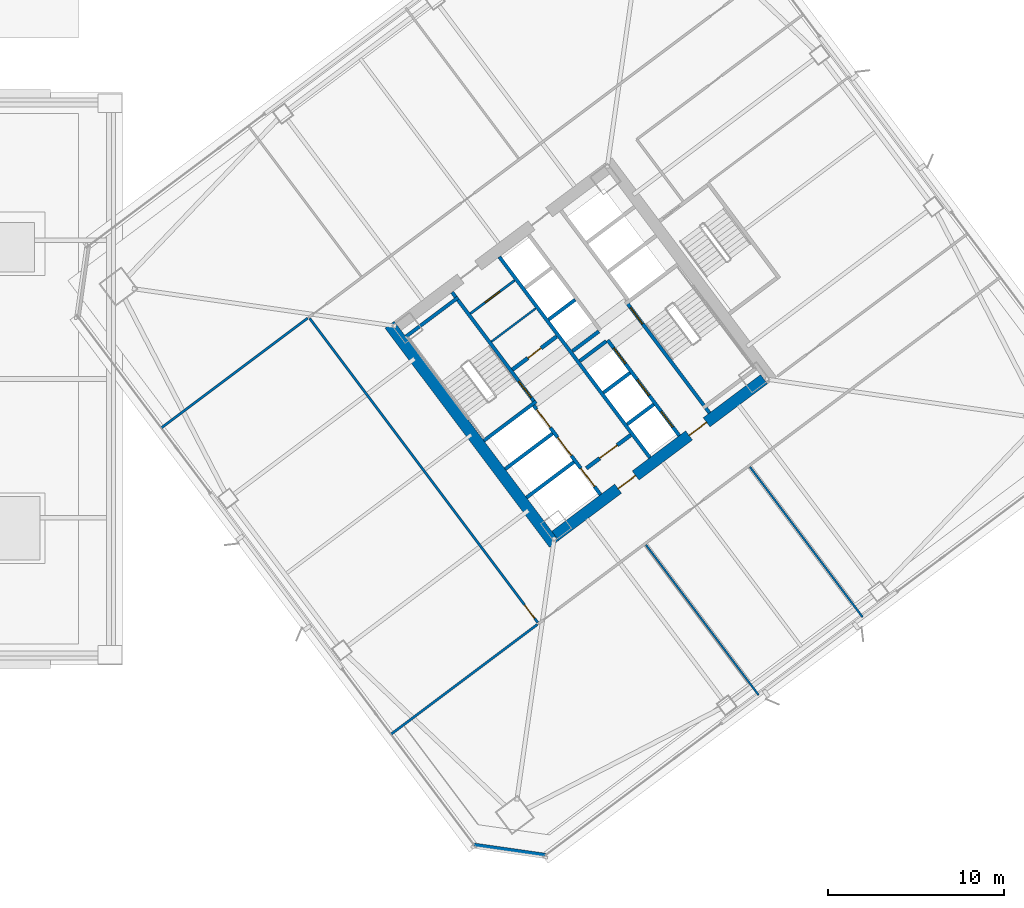
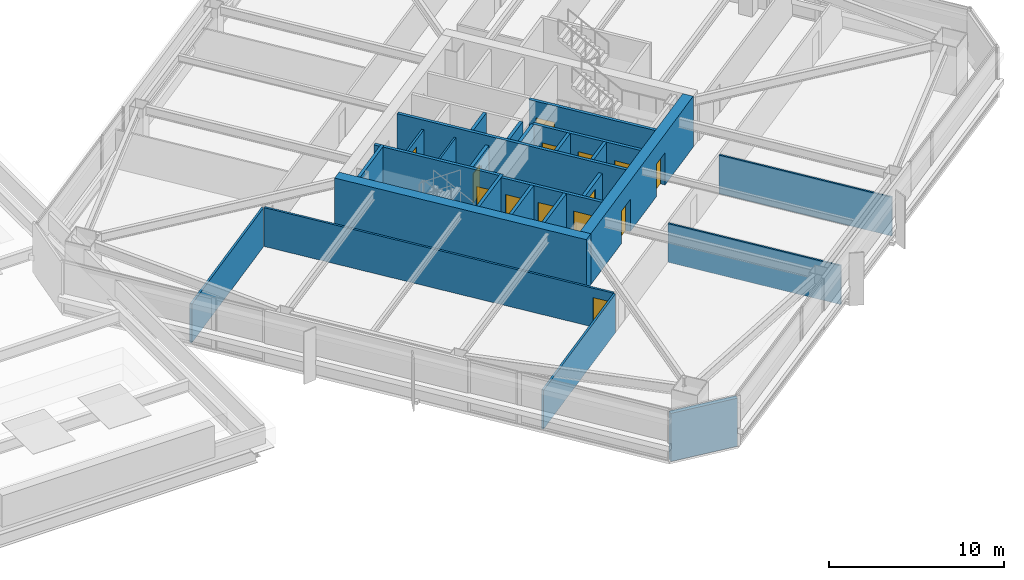
# One storey, part 45 of 62: 26 walls, 14 doors, 14 openings.
"""IFC4 building model written with IfcOpenShell, lengths in metres."""

from ifc_helpers import new_model, si_unit, direction, frame, frame_2d, origin, place, context, subcontext, project, spatial, rectangle, extrude, material, layer, layer_set, type_object, element, fill, save


model = new_model("IFC4")

# Units and contexts
model_context = context("Model", 3, precision=1e-05, world=origin(), true_north=direction((0.0, 1.0)))
body_context = subcontext(model_context, "Body", "Model", "MODEL_VIEW")
ifc_project = project(units=[si_unit("LENGTHUNIT", "METRE"), si_unit("AREAUNIT", "SQUARE_METRE"), si_unit("VOLUMEUNIT", "CUBIC_METRE"), si_unit("PLANEANGLEUNIT", "RADIAN"), si_unit("MASSUNIT", "GRAM", prefix="KILO")], contexts=[model_context])

# Site, building, storey
site_placement = place(None, origin())
site = spatial("IfcSite", under=ifc_project, at=site_placement, CompositionType="ELEMENT")
building_placement = place(site_placement, origin())
building = spatial("IfcBuilding", under=site, at=building_placement, Name="Tashvorn Skyway Center", CompositionType="ELEMENT")
storey_placement = place(building_placement, frame((0.0, 0.0, 28.14990234375)))
storey = spatial("IfcBuildingStorey", under=building, at=storey_placement, Name="L06", CompositionType="ELEMENT", Elevation=28.14990234375)

# Wall
ifc_material_1 = material(Name="Concrete C60/75", Category="concrete")
ifc_layer_1 = layer(ifc_material_1, 0.64990234375)
ifc_layer_set_1 = layer_set([ifc_layer_1], Name="Concrete C60/75")
wall_type_1 = type_object("IfcWallType", Name="WALL-CORE-650", PredefinedType="SHEAR", material=ifc_layer_set_1)
wall_1_placement = place(storey_placement, frame((112.47607421875, 21.10693359375, 0.0), z_axis=(0.0, 0.0, 1.0), x_axis=(-0.600005007985, 0.799996243986, 0.0)))
element("IfcWall", 1, at=wall_1_placement, inside=storey, type_object=wall_type_1, Name="Tower 2 L06 West Core Shear Wall", PredefinedType="SHEAR", context=body_context, shape_type="SweptSolid", body=[
    extrude(rectangle(XDim=15.60009765625, YDim=0.64990234375, at=frame_2d((7.800048828125, 0.0))), origin(), (0.0, 0.0, 1.0), 3.550048828125),
])

# Wall, openings, doors
wall_2_placement = place(storey_placement, frame((124.428955078125, 30.47802734375, 0.0), z_axis=(0.0, 0.0, 1.0), x_axis=(-0.799998028465, -0.600002628705, 0.0)))
wall_2 = element("IfcWall", 2, at=wall_2_placement, inside=storey, type_object=wall_type_1, Name="Tower 2 L06 South Core Shear Wall", PredefinedType="SHEAR", context=body_context, shape_type="SweptSolid", body=[
    extrude(rectangle(XDim=14.85986328125, YDim=0.64990234375, at=frame_2d((7.429931640625, 0.0))), origin(), (0.0, 0.0, 1.0), 3.550048828125),
])
opening_1_placement = place(wall_2_placement, frame((9.1298828125, 0.0, 0.0)))
opening_1 = element("IfcOpeningElement", 3, at=opening_1_placement, cuts=wall_2, Name="Opening D-FFL-1250", PredefinedType="OPENING", context=body_context, shape_type="SweptSolid", body=[
    extrude(rectangle(XDim=1.25, YDim=2.25, at=frame_2d((0.625, 1.125))), frame((0.0, 0.3349609375, 0.0), z_axis=(0.0, -1.0, 0.0), x_axis=(1.0, 0.0, 0.0)), (0.0, 0.0, 1.0), 0.669921875),
])
opening_2_placement = place(wall_2_placement, frame((4.080078125, 0.0, 0.0)))
opening_2 = element("IfcOpeningElement", 4, at=opening_2_placement, cuts=wall_2, Name="Opening D-FFL-1250", PredefinedType="OPENING", context=body_context, shape_type="SweptSolid", body=[
    extrude(rectangle(XDim=1.25, YDim=2.25, at=frame_2d((0.625, 1.125))), frame((0.0, 0.3349609375, 0.0), z_axis=(0.0, -1.0, 0.0), x_axis=(1.0, 0.0, 0.0)), (0.0, 0.0, 1.0), 0.669921875),
])
ifc_material_2 = material(Name="Hollow galvanized steel fire door assembly", Category="steel")
door_type_1 = type_object("IfcDoorType", Name="DOOR-FFL-1250", OperationType="NOTDEFINED", PredefinedType="DOOR", material=ifc_material_2)
door_1_placement = place(opening_1_placement, origin())
door_1 = element("IfcDoor", 5, at=door_1_placement, inside=storey, type_object=door_type_1, Name="Tower 2 L06 Core South Firefighting Exit Door", OperationType="SINGLE_SWING_LEFT", OverallHeight=2.25, OverallWidth=1.25, PredefinedType="DOOR", context=body_context, shape_type="SweptSolid", body=[
    extrude(rectangle(XDim=1.25, YDim=2.25, at=frame_2d((0.625, 1.125))), frame((0.0, 0.02490234375, 0.0), z_axis=(0.0, -1.0, 0.0), x_axis=(1.0, 0.0, 0.0)), (0.0, 0.0, 1.0), 0.050048828125),
])
fill(opening_1, door_1)
door_2_placement = place(opening_2_placement, origin())
door_2 = element("IfcDoor", 6, at=door_2_placement, inside=storey, type_object=door_type_1, Name="Tower 2 L06 Core South Lift Lobby Door", OperationType="SINGLE_SWING_RIGHT", OverallHeight=2.25, OverallWidth=1.25, PredefinedType="DOOR", context=body_context, shape_type="SweptSolid", body=[
    extrude(rectangle(XDim=1.25, YDim=2.25, at=frame_2d((0.625, 1.125))), frame((0.0, 0.02490234375, 0.0), z_axis=(0.0, -1.0, 0.0), x_axis=(1.0, 0.0, 0.0)), (0.0, 0.0, 1.0), 0.050048828125),
])
fill(opening_2, door_2)

# Wall
ifc_material_3 = material(Name="Precast concrete C40/50", Category="concrete")
ifc_layer_2 = layer(ifc_material_3, 0.280029296875)
ifc_layer_set_2 = layer_set([ifc_layer_2], Name="Precast concrete C40/50")
wall_type_2 = type_object("IfcWallType", Name="WALL-EXT-280", PredefinedType="SOLIDWALL", material=ifc_layer_set_2)
wall_3_placement = place(storey_placement, frame((111.97998046875, 3.360107421875, 0.0), z_axis=(0.0, 0.0, 1.0), x_axis=(-0.989955445613, 0.14137968631, 0.0)))
element("IfcWall", 7, at=wall_3_placement, inside=storey, type_object=wall_type_2, Name="Tower 2 L06 SW Precast Chamfer Wall", PredefinedType="SOLIDWALL", context=body_context, shape_type="SweptSolid", body=[
    extrude(rectangle(XDim=4.101318359375, YDim=0.280029296875, at=frame_2d((2.05078125, 0.0))), origin(), (0.0, 0.0, 1.0), 3.35009765625),
])

# Wall, opening, door
ifc_material_4 = material(Name="Concrete C40/50", Category="concrete")
ifc_layer_3 = layer(ifc_material_4, 0.219970703125)
ifc_layer_set_3 = layer_set([ifc_layer_3], Name="Concrete C40/50")
wall_type_3 = type_object("IfcWallType", Name="WALL-FFL-220", PredefinedType="SOLIDWALL", material=ifc_layer_set_3)
wall_4_placement = place(storey_placement, frame((110.10400390625, 31.028076171875, 0.0), z_axis=(0.0, 0.0, 1.0), x_axis=(0.800018601094, 0.59997519774, 0.0)))
wall_4 = element("IfcWall", 8, at=wall_4_placement, inside=storey, type_object=wall_type_3, Name="Tower 2 L06 Firefighting Lobby North Wall", PredefinedType="SOLIDWALL", context=body_context, shape_type="SweptSolid", body=[
    extrude(rectangle(XDim=3.14990234375, YDim=0.219970703125, at=frame_2d((1.574951171875, 0.0))), origin(), (0.0, 0.0, 1.0), 2.703125),
])
opening_3_placement = place(wall_4_placement, frame((1.10009765625, 0.0, 0.0)))
opening_3 = element("IfcOpeningElement", 9, at=opening_3_placement, cuts=wall_4, Name="Opening D-RT-950", PredefinedType="OPENING", context=body_context, shape_type="SweptSolid", body=[
    extrude(rectangle(XDim=0.949951171875, YDim=2.050048828125, at=frame_2d((0.47509765625, 1.02490234375))), frame((0.0, 0.119873046875, 0.0), z_axis=(0.0, -1.0, 0.0), x_axis=(1.0, 0.0, 0.0)), (0.0, 0.0, 1.0), 0.239990234375),
])
door_type_2 = type_object("IfcDoorType", Name="DOOR-RATED-950", OperationType="NOTDEFINED", PredefinedType="DOOR", material=ifc_material_2)
door_3_placement = place(opening_3_placement, origin())
door_3 = element("IfcDoor", 10, at=door_3_placement, inside=storey, type_object=door_type_2, Name="Tower 2 L06 Core Linen Store Door", OperationType="SINGLE_SWING_LEFT", OverallHeight=2.050048828125, OverallWidth=0.949951171875, PredefinedType="DOOR", context=body_context, shape_type="SweptSolid", body=[
    extrude(rectangle(XDim=0.949951171875, YDim=2.050048828125, at=frame_2d((0.47509765625, 1.02490234375))), frame((0.0, 0.02490234375, 0.0), z_axis=(0.0, -1.0, 0.0), x_axis=(1.0, 0.0, 0.0)), (0.0, 0.0, 1.0), 0.050048828125),
])
fill(opening_3, door_3)

wall_5_placement = place(storey_placement, frame((114.31591796875, 25.412109375, 0.0), z_axis=(0.0, 0.0, 1.0), x_axis=(0.800018601094, 0.59997519774, 0.0)))
wall_5 = element("IfcWall", 11, at=wall_5_placement, inside=storey, type_object=wall_type_3, Name="Tower 2 L06 Firefighting Lobby South Wall", PredefinedType="SOLIDWALL", context=body_context, shape_type="SweptSolid", body=[
    extrude(rectangle(XDim=3.14990234375, YDim=0.219970703125, at=frame_2d((1.574951171875, 0.0))), origin(), (0.0, 0.0, 1.0), 2.703125),
])
opening_4_placement = place(wall_5_placement, frame((0.949951171875, 0.0, 0.0)))
opening_4 = element("IfcOpeningElement", 12, at=opening_4_placement, cuts=wall_5, Name="Opening D-FFL-1250", PredefinedType="OPENING", context=body_context, shape_type="SweptSolid", body=[
    extrude(rectangle(XDim=1.25, YDim=2.25, at=frame_2d((0.625, 1.125))), frame((0.0, 0.119873046875, 0.0), z_axis=(0.0, -1.0, 0.0), x_axis=(1.0, 0.0, 0.0)), (0.0, 0.0, 1.0), 0.239990234375),
])
door_4_placement = place(opening_4_placement, origin())
door_4 = element("IfcDoor", 13, at=door_4_placement, inside=storey, type_object=door_type_1, Name="Tower 2 L06 Firefighting Lobby Egress Door", OperationType="SINGLE_SWING_LEFT", OverallHeight=2.25, OverallWidth=1.25, PredefinedType="DOOR", context=body_context, shape_type="SweptSolid", body=[
    extrude(rectangle(XDim=1.25, YDim=2.25, at=frame_2d((0.625, 1.125))), frame((0.0, 0.02490234375, 0.0), z_axis=(0.0, -1.0, 0.0), x_axis=(1.0, 0.0, 0.0)), (0.0, 0.0, 1.0), 0.050048828125),
])
fill(opening_4, door_4)

# Walls
ifc_material_5 = material(Name="Gypsum board on cold-formed steel stud framing", Category="steel")
ifc_layer_4 = layer(ifc_material_5, 0.110107421875)
ifc_layer_set_4 = layer_set([ifc_layer_4], Name="Gypsum board on cold-formed steel stud framing")
wall_type_4 = type_object("IfcWallType", Name="WALL-PART-110", PredefinedType="PARTITIONING", material=ifc_layer_set_4)
wall_6_placement = place(storey_placement, frame((124.1279296875, 12.49609375, 0.0), z_axis=(0.0, 0.0, 1.0), x_axis=(-0.600003650761, 0.799997261916, 0.0)))
element("IfcWall", 14, at=wall_6_placement, inside=storey, type_object=wall_type_4, Name="Tower 2 L06 South Suite Partition 1", PredefinedType="PARTITIONING", context=body_context, shape_type="SweptSolid", body=[
    extrude(rectangle(XDim=10.69970703125, YDim=0.110107421875, at=frame_2d((5.349853515625, 0.0))), origin(), (0.0, 0.0, 1.0), 2.703125),
])
wall_7_placement = place(storey_placement, frame((130.048095703125, 16.93603515625, 0.0), z_axis=(0.0, 0.0, 1.0), x_axis=(-0.600007301277, 0.79999452399, 0.0)))
element("IfcWall", 15, at=wall_7_placement, inside=storey, type_object=wall_type_4, Name="Tower 2 L06 South Suite Partition 2", PredefinedType="PARTITIONING", context=body_context, shape_type="SweptSolid", body=[
    extrude(rectangle(XDim=10.7001953125, YDim=0.110107421875, at=frame_2d((5.35009765625, 0.0))), origin(), (0.0, 0.0, 1.0), 2.703125),
])

# Wall, opening, door
ifc_layer_5 = layer(ifc_material_5, 0.135009765625)
ifc_layer_set_5 = layer_set([ifc_layer_5], Name="Gypsum board on cold-formed steel stud framing")
wall_type_5 = type_object("IfcWallType", Name="WALL-PART-135", PredefinedType="PARTITIONING", material=ifc_layer_set_5)
wall_8_placement = place(storey_placement, frame((111.548095703125, 16.635986328125, 0.0), z_axis=(0.0, 0.0, 1.0), x_axis=(-0.600003610192, 0.799997292343, 0.0)))
wall_8 = element("IfcWall", 16, at=wall_8_placement, inside=storey, type_object=wall_type_5, Name="Tower 2 L06 West Inner Suite Wall", PredefinedType="PARTITIONING", context=body_context, shape_type="SweptSolid", body=[
    extrude(rectangle(XDim=21.64013671875, YDim=0.135009765625, at=frame_2d((10.820068359375, 0.0))), origin(), (0.0, 0.0, 1.0), 2.703125),
])
opening_5_placement = place(wall_8_placement, frame((0.300048828125, 0.0, 0.0)))
opening_5 = element("IfcOpeningElement", 17, at=opening_5_placement, cuts=wall_8, Name="Opening D-INT-950", PredefinedType="OPENING", context=body_context, shape_type="SweptSolid", body=[
    extrude(rectangle(XDim=0.949951171875, YDim=2.050048828125, at=frame_2d((0.47509765625, 1.02490234375))), frame((0.0, 0.077392578125, 0.0), z_axis=(0.0, -1.0, 0.0), x_axis=(1.0, 0.0, 0.0)), (0.0, 0.0, 1.0), 0.155029296875),
])
ifc_material_6 = material(Name="Solid-core architectural oak veneer door")
door_type_3 = type_object("IfcDoorType", Name="DOOR-INT-950", OperationType="NOTDEFINED", PredefinedType="DOOR", material=ifc_material_6)
door_5_placement = place(opening_5_placement, origin())
door_5 = element("IfcDoor", 18, at=door_5_placement, inside=storey, type_object=door_type_3, Name="Tower 2 L06 Staff Fitness Club Door", OperationType="SINGLE_SWING_RIGHT", OverallHeight=2.050048828125, OverallWidth=0.949951171875, PredefinedType="DOOR", context=body_context, shape_type="SweptSolid", body=[
    extrude(rectangle(XDim=0.949951171875, YDim=2.050048828125, at=frame_2d((0.47509765625, 1.02490234375))), frame((0.0, 0.02490234375, 0.0), z_axis=(0.0, -1.0, 0.0), x_axis=(1.0, 0.0, 0.0)), (0.0, 0.0, 1.0), 0.050048828125),
])
fill(opening_5, door_5)

# Walls
wall_9_placement = place(storey_placement, frame((98.451904296875, 33.964111328125, 0.0), z_axis=(0.0, 0.0, 1.0), x_axis=(-0.799988753532, -0.600014994998, 0.0)))
element("IfcWall", 19, at=wall_9_placement, inside=storey, type_object=wall_type_5, Name="Tower 2 L06 West Suite North Wall", PredefinedType="PARTITIONING", context=body_context, shape_type="SweptSolid", body=[
    extrude(rectangle(XDim=10.420166015625, YDim=0.135009765625, at=frame_2d((5.2099609375, 0.0))), origin(), (0.0, 0.0, 1.0), 2.703125),
])
wall_10_placement = place(storey_placement, frame((103.196044921875, 10.27197265625, 0.0), z_axis=(0.0, 0.0, 1.0), x_axis=(0.8, 0.6, 0.0)))
element("IfcWall", 20, at=wall_10_placement, inside=storey, type_object=wall_type_5, Name="Tower 2 L06 West Suite South Wall", PredefinedType="PARTITIONING", context=body_context, shape_type="SweptSolid", body=[
    extrude(rectangle(XDim=10.419921875, YDim=0.135009765625, at=frame_2d((5.2099609375, 0.0))), origin(), (0.0, 0.0, 1.0), 2.703125),
])
ifc_layer_6 = layer(ifc_material_5, 0.110107421875)
ifc_layer_set_6 = layer_set([ifc_layer_6], Name="Gypsum board on cold-formed steel stud framing")
wall_type_6 = type_object("IfcWallType", Name="WALL-RATED-110", PredefinedType="PARTITIONING", material=ifc_layer_set_6)
wall_11_placement = place(storey_placement, frame((108.909912109375, 32.6201171875, 0.0), z_axis=(0.0, 0.0, 1.0), x_axis=(0.800018601094, 0.59997519774, 0.0)))
element("IfcWall", 21, at=wall_11_placement, inside=storey, type_object=wall_type_6, Name="Tower 2 L06 Core Transverse Wall", PredefinedType="PARTITIONING", context=body_context, shape_type="SweptSolid", body=[
    extrude(rectangle(XDim=3.14990234375, YDim=0.110107421875, at=frame_2d((1.574951171875, 0.0))), origin(), (0.0, 0.0, 1.0), 2.703125),
])

# Wall, opening, door
ifc_layer_7 = layer(ifc_material_5, 0.135009765625)
ifc_layer_set_7 = layer_set([ifc_layer_7], Name="Gypsum board on cold-formed steel stud framing")
wall_type_7 = type_object("IfcWallType", Name="WALL-RATED-135", PredefinedType="PARTITIONING", material=ifc_layer_set_7)
wall_12_placement = place(storey_placement, frame((107.7099609375, 34.219970703125, 0.0), z_axis=(0.0, 0.0, 1.0), x_axis=(0.799981399002, 0.60002480053, 0.0)))
wall_12 = element("IfcWall", 22, at=wall_12_placement, inside=storey, type_object=wall_type_7, Name="Tower 2 L06 Core Service Lobby Wall", PredefinedType="PARTITIONING", context=body_context, shape_type="SweptSolid", body=[
    extrude(rectangle(XDim=3.150146484375, YDim=0.135009765625, at=frame_2d((1.5751953125, 0.0))), origin(), (0.0, 0.0, 1.0), 2.703125),
])
opening_6_placement = place(wall_12_placement, frame((1.050048828125, 0.0, 0.0)))
opening_6 = element("IfcOpeningElement", 23, at=opening_6_placement, cuts=wall_12, Name="Opening D-RT-1050", PredefinedType="OPENING", context=body_context, shape_type="SweptSolid", body=[
    extrude(rectangle(XDim=1.050048828125, YDim=2.199951171875, at=frame_2d((0.52490234375, 1.10009765625))), frame((0.0, 0.077392578125, 0.0), z_axis=(0.0, -1.0, 0.0), x_axis=(1.0, 0.0, 0.0)), (0.0, 0.0, 1.0), 0.155029296875),
])
door_type_4 = type_object("IfcDoorType", Name="DOOR-RATED-1050", OperationType="NOTDEFINED", PredefinedType="DOOR", material=ifc_material_2)
door_6_placement = place(opening_6_placement, origin())
door_6 = element("IfcDoor", 24, at=door_6_placement, inside=storey, type_object=door_type_4, Name="Tower 2 L06 Core Accessible WC Door", OperationType="SINGLE_SWING_RIGHT", OverallHeight=2.199951171875, OverallWidth=1.050048828125, PredefinedType="DOOR", context=body_context, shape_type="SweptSolid", body=[
    extrude(rectangle(XDim=1.050048828125, YDim=2.199951171875, at=frame_2d((0.52490234375, 1.10009765625))), frame((0.0, 0.02490234375, 0.0), z_axis=(0.0, -1.0, 0.0), x_axis=(1.0, 0.0, 0.0)), (0.0, 0.0, 1.0), 0.050048828125),
])
fill(opening_6, door_6)

# Walls
ifc_layer_8 = layer(ifc_material_4, 0.199951171875)
ifc_layer_set_8 = layer_set([ifc_layer_8], Name="Concrete C40/50")
wall_type_8 = type_object("IfcWallType", Name="WALL-SHAFT-200", PredefinedType="SOLIDWALL", material=ifc_layer_set_8)
for number, where, z_axis, x_axis, name in (
    (25, (110.906005859375, 23.741943359375, 0.0), (0.0, 0.0, 1.0), (0.8, 0.6, 0.0), "Tower 2 L06 FSAE Shaft Divider"),
    (26, (109.68798828125, 25.365966796875, 0.0), (0.0, 0.0, 1.0), (0.8, 0.6, 0.0), "Tower 2 L06 FSAE Shaft Divider"),
):
    element("IfcWall", number, at=place(storey_placement, frame(where, z_axis=z_axis, x_axis=x_axis)), inside=storey, type_object=wall_type_8, Name=name, PredefinedType="SOLIDWALL", context=body_context, shape_type="SweptSolid", body=[
        extrude(rectangle(XDim=3.380126953125, YDim=0.199951171875, at=frame_2d((1.68994140625, 0.0))), origin(), (0.0, 0.0, 1.0), 3.35009765625),
    ])

# Wall, openings, doors
wall_13_placement = place(storey_placement, frame((119.610107421875, 27.27001953125, 0.0), z_axis=(0.0, 0.0, 1.0), x_axis=(-0.600011488909, 0.79999138319, 0.0)))
wall_13 = element("IfcWall", 27, at=wall_13_placement, inside=storey, type_object=wall_type_8, Name="Tower 2 L06 Low-Rise Core Wall", PredefinedType="SOLIDWALL", context=body_context, shape_type="SweptSolid", body=[
    extrude(rectangle(XDim=6.800048828125, YDim=0.199951171875, at=frame_2d((3.39990234375, 0.0))), origin(), (0.0, 0.0, 1.0), 3.35009765625),
])
opening_7_placement = place(wall_13_placement, frame((0.625, 0.0, 0.0)))
opening_7 = element("IfcOpeningElement", 28, at=opening_7_placement, cuts=wall_13, Name="Opening LD-LR-T2-1-L06", PredefinedType="OPENING", context=body_context, shape_type="SweptSolid", body=[
    extrude(rectangle(XDim=1.10009765625, YDim=2.199951171875, at=frame_2d((0.550048828125, 1.10009765625))), frame((0.0, 0.10986328125, 0.0), z_axis=(0.0, -1.0, 0.0), x_axis=(1.0, 0.0, 0.0)), (0.0, 0.0, 1.0), 0.219970703125),
])
opening_8_placement = place(wall_13_placement, frame((2.875, 0.0, 0.0)))
opening_8 = element("IfcOpeningElement", 29, at=opening_8_placement, cuts=wall_13, Name="Opening LD-LR-T2-2-L06", PredefinedType="OPENING", context=body_context, shape_type="SweptSolid", body=[
    extrude(rectangle(XDim=1.10009765625, YDim=2.199951171875, at=frame_2d((0.550048828125, 1.10009765625))), frame((0.0, 0.10986328125, 0.0), z_axis=(0.0, -1.0, 0.0), x_axis=(1.0, 0.0, 0.0)), (0.0, 0.0, 1.0), 0.219970703125),
])
opening_9_placement = place(wall_13_placement, frame((5.125, 0.0, 0.0)))
opening_9 = element("IfcOpeningElement", 30, at=opening_9_placement, cuts=wall_13, Name="Opening LD-LR-T2-3-L06", PredefinedType="OPENING", context=body_context, shape_type="SweptSolid", body=[
    extrude(rectangle(XDim=1.10009765625, YDim=2.199951171875, at=frame_2d((0.550048828125, 1.10009765625))), frame((0.0, 0.10986328125, 0.0), z_axis=(0.0, -1.0, 0.0), x_axis=(1.0, 0.0, 0.0)), (0.0, 0.0, 1.0), 0.219970703125),
])
ifc_material_7 = material(Name="Stainless steel landing door", Category="steel")
door_type_5 = type_object("IfcDoorType", Name="DOOR-LIFT-1100", OperationType="SLIDING_TO_LEFT", PredefinedType="DOOR", material=ifc_material_7)
door_7_placement = place(opening_7_placement, origin())
door_7 = element("IfcDoor", 31, at=door_7_placement, inside=storey, type_object=door_type_5, Name="Lift LR-T2-1 L06 Landing Door", OperationType="SLIDING_TO_LEFT", OverallHeight=2.199951171875, OverallWidth=1.10009765625, PredefinedType="DOOR", context=body_context, shape_type="SweptSolid", body=[
    extrude(rectangle(XDim=1.10009765625, YDim=2.199951171875, at=frame_2d((0.550048828125, 1.10009765625))), frame((0.0, 0.02490234375, 0.0), z_axis=(0.0, -1.0, 0.0), x_axis=(1.0, 0.0, 0.0)), (0.0, 0.0, 1.0), 0.050048828125),
])
fill(opening_7, door_7)
door_8_placement = place(opening_8_placement, origin())
door_8 = element("IfcDoor", 32, at=door_8_placement, inside=storey, type_object=door_type_5, Name="Lift LR-T2-2 L06 Landing Door", OperationType="SLIDING_TO_LEFT", OverallHeight=2.199951171875, OverallWidth=1.10009765625, PredefinedType="DOOR", context=body_context, shape_type="SweptSolid", body=[
    extrude(rectangle(XDim=1.10009765625, YDim=2.199951171875, at=frame_2d((0.550048828125, 1.10009765625))), frame((0.0, 0.02490234375, 0.0), z_axis=(0.0, -1.0, 0.0), x_axis=(1.0, 0.0, 0.0)), (0.0, 0.0, 1.0), 0.050048828125),
])
fill(opening_8, door_8)
door_9_placement = place(opening_9_placement, origin())
door_9 = element("IfcDoor", 33, at=door_9_placement, inside=storey, type_object=door_type_5, Name="Lift LR-T2-3 L06 Landing Door", OperationType="SLIDING_TO_LEFT", OverallHeight=2.199951171875, OverallWidth=1.10009765625, PredefinedType="DOOR", context=body_context, shape_type="SweptSolid", body=[
    extrude(rectangle(XDim=1.10009765625, YDim=2.199951171875, at=frame_2d((0.550048828125, 1.10009765625))), frame((0.0, 0.02490234375, 0.0), z_axis=(0.0, -1.0, 0.0), x_axis=(1.0, 0.0, 0.0)), (0.0, 0.0, 1.0), 0.050048828125),
])
fill(opening_9, door_9)

# Walls
wall_14_placement = place(storey_placement, frame((116.64599609375, 27.922119140625, 0.0), z_axis=(0.0, 0.0, 1.0), x_axis=(0.8, 0.6, 0.0)))
element("IfcWall", 34, at=wall_14_placement, inside=storey, type_object=wall_type_8, Name="Tower 2 L06 Low-Rise Shaft Divider", PredefinedType="SOLIDWALL", context=body_context, shape_type="SweptSolid", body=[
    extrude(rectangle(XDim=1.8798828125, YDim=0.199951171875, at=frame_2d((0.93994140625, 0.0))), origin(), (0.0, 0.0, 1.0), 3.35009765625),
])
wall_15_placement = place(storey_placement, frame((115.2958984375, 29.721923828125, 0.0), z_axis=(0.0, 0.0, 1.0), x_axis=(0.799984418148, 0.600020775241, 0.0)))
element("IfcWall", 35, at=wall_15_placement, inside=storey, type_object=wall_type_8, Name="Tower 2 L06 Low-Rise Shaft Divider", PredefinedType="SOLIDWALL", context=body_context, shape_type="SweptSolid", body=[
    extrude(rectangle(XDim=1.880126953125, YDim=0.199951171875, at=frame_2d((0.93994140625, 0.0))), origin(), (0.0, 0.0, 1.0), 3.35009765625),
])
wall_16_placement = place(storey_placement, frame((113.946044921875, 31.52197265625, 0.0), z_axis=(0.0, 0.0, 1.0), x_axis=(0.8, 0.6, 0.0)))
element("IfcWall", 36, at=wall_16_placement, inside=storey, type_object=wall_type_8, Name="Tower 2 L06 Low-Rise Shaft Divider", PredefinedType="SOLIDWALL", context=body_context, shape_type="SweptSolid", body=[
    extrude(rectangle(XDim=1.8798828125, YDim=0.199951171875, at=frame_2d((0.93994140625, 0.0))), origin(), (0.0, 0.0, 1.0), 3.35009765625),
])
wall_17_placement = place(storey_placement, frame((113.52587890625, 32.08203125, 0.0), z_axis=(0.0, 0.0, 1.0), x_axis=(0.800046745961, 0.599937666993, 0.0)))
element("IfcWall", 37, at=wall_17_placement, inside=storey, type_object=wall_type_8, Name="Tower 2 L06 Mid-Rise Shaft Divider", PredefinedType="SOLIDWALL", context=body_context, shape_type="SweptSolid", body=[
    extrude(rectangle(XDim=1.880126953125, YDim=0.199951171875, at=frame_2d((0.93994140625, 0.0))), origin(), (0.0, 0.0, 1.0), 3.35009765625),
])
wall_18_placement = place(storey_placement, frame((112.176025390625, 33.882080078125, 0.0), z_axis=(0.0, 0.0, 1.0), x_axis=(0.8, 0.6, 0.0)))
element("IfcWall", 38, at=wall_18_placement, inside=storey, type_object=wall_type_8, Name="Tower 2 L06 Mid-Rise Shaft Divider", PredefinedType="SOLIDWALL", context=body_context, shape_type="SweptSolid", body=[
    extrude(rectangle(XDim=1.8798828125, YDim=0.199951171875, at=frame_2d((0.93994140625, 0.0))), origin(), (0.0, 0.0, 1.0), 3.35009765625),
])

# Wall, opening, door
ifc_layer_9 = layer(ifc_material_4, 0.199951171875)
ifc_layer_set_9 = layer_set([ifc_layer_9], Name="Concrete C40/50")
wall_type_9 = type_object("IfcWallType", Name="WALL-STSHF-200", PredefinedType="SHEAR", material=ifc_layer_set_9)
wall_19_placement = place(storey_placement, frame((111.43994140625, 29.080078125, 0.0), z_axis=(0.0, 0.0, 1.0), x_axis=(-0.600009827119, 0.799992629566, 0.0)))
wall_19 = element("IfcWall", 39, at=wall_19_placement, inside=storey, type_object=wall_type_9, Name="Tower 2 L06 Stair 1 Enclosure Wall", PredefinedType="SHEAR", context=body_context, shape_type="SweptSolid", body=[
    extrude(rectangle(XDim=7.949951171875, YDim=0.199951171875, at=frame_2d((3.97509765625, 0.0))), origin(), (0.0, 0.0, 1.0), 3.35009765625),
])
opening_10_placement = place(wall_19_placement, frame((0.449951171875, 0.0, 0.0)))
opening_10 = element("IfcOpeningElement", 40, at=opening_10_placement, cuts=wall_19, Name="Opening D-ST-1150", PredefinedType="OPENING", context=body_context, shape_type="SweptSolid", body=[
    extrude(rectangle(XDim=1.14990234375, YDim=2.199951171875, at=frame_2d((0.574951171875, 1.10009765625))), frame((0.0, 0.10986328125, 0.0), z_axis=(0.0, -1.0, 0.0), x_axis=(1.0, 0.0, 0.0)), (0.0, 0.0, 1.0), 0.219970703125),
])
door_type_6 = type_object("IfcDoorType", Name="DOOR-STAIR-1150", OperationType="NOTDEFINED", PredefinedType="DOOR", material=ifc_material_2)
door_10_placement = place(opening_10_placement, origin())
door_10 = element("IfcDoor", 41, at=door_10_placement, inside=storey, type_object=door_type_6, Name="Tower 2 L06 Exit Stair 1 Door", OperationType="SINGLE_SWING_RIGHT", OverallHeight=2.199951171875, OverallWidth=1.14990234375, PredefinedType="DOOR", context=body_context, shape_type="SweptSolid", body=[
    extrude(rectangle(XDim=1.14990234375, YDim=2.199951171875, at=frame_2d((0.574951171875, 1.10009765625))), frame((0.0, 0.02490234375, 0.0), z_axis=(0.0, -1.0, 0.0), x_axis=(1.0, 0.0, 0.0)), (0.0, 0.0, 1.0), 0.050048828125),
])
fill(opening_10, door_10)

# Walls
for number, where, z_axis, x_axis, name in (
    (42, (108.47607421875, 26.98193359375, 0.0), (0.0, 0.0, 1.0), (0.799984290658, 0.600020945218, 0.0), "Tower 2 L06 Stair 1 South Wall"),
    (43, (104.035888671875, 32.902099609375, 0.0), (0.0, 0.0, 1.0), (0.800039270442, 0.59994763584, 0.0), "Tower 2 L06 Stair 1 North Wall"),
):
    element("IfcWall", number, at=place(storey_placement, frame(where, z_axis=z_axis, x_axis=x_axis)), inside=storey, type_object=wall_type_9, Name=name, PredefinedType="SHEAR", context=body_context, shape_type="SweptSolid", body=[
        extrude(rectangle(XDim=3.72998046875, YDim=0.199951171875, at=frame_2d((1.864990234375, 0.0))), origin(), (0.0, 0.0, 1.0), 3.35009765625),
    ])

# Wall, opening, door
wall_20_placement = place(storey_placement, frame((116.56005859375, 34.919921875, 0.0), z_axis=(0.0, 0.0, 1.0), x_axis=(0.600009827119, -0.799992629566, 0.0)))
wall_20 = element("IfcWall", 44, at=wall_20_placement, inside=storey, type_object=wall_type_9, Name="Tower 2 L06 Stair 2 Enclosure Wall", PredefinedType="SHEAR", context=body_context, shape_type="SweptSolid", body=[
    extrude(rectangle(XDim=7.949951171875, YDim=0.199951171875, at=frame_2d((3.97509765625, 0.0))), origin(), (0.0, 0.0, 1.0), 3.35009765625),
])
opening_11_placement = place(wall_20_placement, frame((0.449951171875, 0.0, 0.0)))
opening_11 = element("IfcOpeningElement", 45, at=opening_11_placement, cuts=wall_20, Name="Opening D-ST-1150", PredefinedType="OPENING", context=body_context, shape_type="SweptSolid", body=[
    extrude(rectangle(XDim=1.14990234375, YDim=2.199951171875, at=frame_2d((0.574951171875, 1.10009765625))), frame((0.0, 0.10986328125, 0.0), z_axis=(0.0, -1.0, 0.0), x_axis=(1.0, 0.0, 0.0)), (0.0, 0.0, 1.0), 0.219970703125),
])
door_11_placement = place(opening_11_placement, origin())
door_11 = element("IfcDoor", 46, at=door_11_placement, inside=storey, type_object=door_type_6, Name="Tower 2 L06 Exit Stair 2 Door", OperationType="SINGLE_SWING_RIGHT", OverallHeight=2.199951171875, OverallWidth=1.14990234375, PredefinedType="DOOR", context=body_context, shape_type="SweptSolid", body=[
    extrude(rectangle(XDim=1.14990234375, YDim=2.199951171875, at=frame_2d((0.574951171875, 1.10009765625))), frame((0.0, 0.02490234375, 0.0), z_axis=(0.0, -1.0, 0.0), x_axis=(1.0, 0.0, 0.0)), (0.0, 0.0, 1.0), 0.050048828125),
])
fill(opening_11, door_11)

# Wall
wall_21_placement = place(storey_placement, frame((117.93798828125, 26.01611328125, 0.0), z_axis=(0.0, 0.0, 1.0), x_axis=(-0.600005463273, 0.799995902516, 0.0)))
element("IfcWall", 47, at=wall_21_placement, inside=storey, type_object=wall_type_9, Name="Tower 2 L06 Firefighting Lobby East Smoke Barrier", PredefinedType="SHEAR", context=body_context, shape_type="SweptSolid", body=[
    extrude(rectangle(XDim=14.300048828125, YDim=0.199951171875, at=frame_2d((7.14990234375, 0.0))), origin(), (0.0, 0.0, 1.0), 3.35009765625),
])

# Wall, openings, doors
wall_22_placement = place(storey_placement, frame((115.1298828125, 23.909912109375, 0.0), z_axis=(0.0, 0.0, 1.0), x_axis=(-0.599975393228, 0.800018454488, 0.0)))
wall_22 = element("IfcWall", 48, at=wall_22_placement, inside=storey, type_object=wall_type_9, Name="Tower 2 L06 FSAE and Goods Shaft Front Wall", PredefinedType="SHEAR", context=body_context, shape_type="SweptSolid", body=[
    extrude(rectangle(XDim=6.349853515625, YDim=0.199951171875, at=frame_2d((3.1748046875, 0.0))), origin(), (0.0, 0.0, 1.0), 3.35009765625),
])
opening_12_placement = place(wall_22_placement, frame((4.77490234375, 0.0, 0.0)))
opening_12 = element("IfcOpeningElement", 49, at=opening_12_placement, cuts=wall_22, Name="Opening LD-FF-T2-1-L06", PredefinedType="OPENING", context=body_context, shape_type="SweptSolid", body=[
    extrude(rectangle(XDim=1.300048828125, YDim=2.25, at=frame_2d((0.64990234375, 1.125))), frame((0.0, 0.10986328125, 0.0), z_axis=(0.0, -1.0, 0.0), x_axis=(1.0, 0.0, 0.0)), (0.0, 0.0, 1.0), 0.219970703125),
])
opening_13_placement = place(wall_22_placement, frame((2.77490234375, 0.0, 0.0)))
opening_13 = element("IfcOpeningElement", 50, at=opening_13_placement, cuts=wall_22, Name="Opening LD-FF-T2-2-L06", PredefinedType="OPENING", context=body_context, shape_type="SweptSolid", body=[
    extrude(rectangle(XDim=1.300048828125, YDim=2.25, at=frame_2d((0.64990234375, 1.125))), frame((0.0, 0.10986328125, 0.0), z_axis=(0.0, -1.0, 0.0), x_axis=(1.0, 0.0, 0.0)), (0.0, 0.0, 1.0), 0.219970703125),
])
opening_14_placement = place(wall_22_placement, frame((0.574951171875, 0.0, 0.0)))
opening_14 = element("IfcOpeningElement", 51, at=opening_14_placement, cuts=wall_22, Name="Opening LD-GD-T2-1-L06", PredefinedType="OPENING", context=body_context, shape_type="SweptSolid", body=[
    extrude(rectangle(XDim=1.300048828125, YDim=2.25, at=frame_2d((0.64990234375, 1.125))), frame((0.0, 0.10986328125, 0.0), z_axis=(0.0, -1.0, 0.0), x_axis=(1.0, 0.0, 0.0)), (0.0, 0.0, 1.0), 0.219970703125),
])
ifc_material_8 = material(Name="Stainless steel heavy-duty landing door", Category="steel")
door_type_7 = type_object("IfcDoorType", Name="DOOR-LIFT-1300", OperationType="SLIDING_TO_LEFT", PredefinedType="DOOR", material=ifc_material_8)
door_12_placement = place(opening_12_placement, origin())
door_12 = element("IfcDoor", 52, at=door_12_placement, inside=storey, type_object=door_type_7, Name="Lift FF-T2-1 L06 Landing Door", OperationType="SLIDING_TO_LEFT", OverallHeight=2.25, OverallWidth=1.300048828125, PredefinedType="DOOR", context=body_context, shape_type="SweptSolid", body=[
    extrude(rectangle(XDim=1.300048828125, YDim=2.25, at=frame_2d((0.64990234375, 1.125))), frame((0.0, 0.02490234375, 0.0), z_axis=(0.0, -1.0, 0.0), x_axis=(1.0, 0.0, 0.0)), (0.0, 0.0, 1.0), 0.050048828125),
])
fill(opening_12, door_12)
door_13_placement = place(opening_13_placement, origin())
door_13 = element("IfcDoor", 53, at=door_13_placement, inside=storey, type_object=door_type_7, Name="Lift FF-T2-2 L06 Landing Door", OperationType="SLIDING_TO_LEFT", OverallHeight=2.25, OverallWidth=1.300048828125, PredefinedType="DOOR", context=body_context, shape_type="SweptSolid", body=[
    extrude(rectangle(XDim=1.300048828125, YDim=2.25, at=frame_2d((0.64990234375, 1.125))), frame((0.0, 0.02490234375, 0.0), z_axis=(0.0, -1.0, 0.0), x_axis=(1.0, 0.0, 0.0)), (0.0, 0.0, 1.0), 0.050048828125),
])
fill(opening_13, door_13)
door_14_placement = place(opening_14_placement, origin())
door_14 = element("IfcDoor", 54, at=door_14_placement, inside=storey, type_object=door_type_7, Name="Lift GD-T2-1 L06 Landing Door", OperationType="SLIDING_TO_LEFT", OverallHeight=2.25, OverallWidth=1.300048828125, PredefinedType="DOOR", context=body_context, shape_type="SweptSolid", body=[
    extrude(rectangle(XDim=1.300048828125, YDim=2.25, at=frame_2d((0.64990234375, 1.125))), frame((0.0, 0.02490234375, 0.0), z_axis=(0.0, -1.0, 0.0), x_axis=(1.0, 0.0, 0.0)), (0.0, 0.0, 1.0), 0.050048828125),
])
fill(opening_14, door_14)

save(model, "model.ifc")
